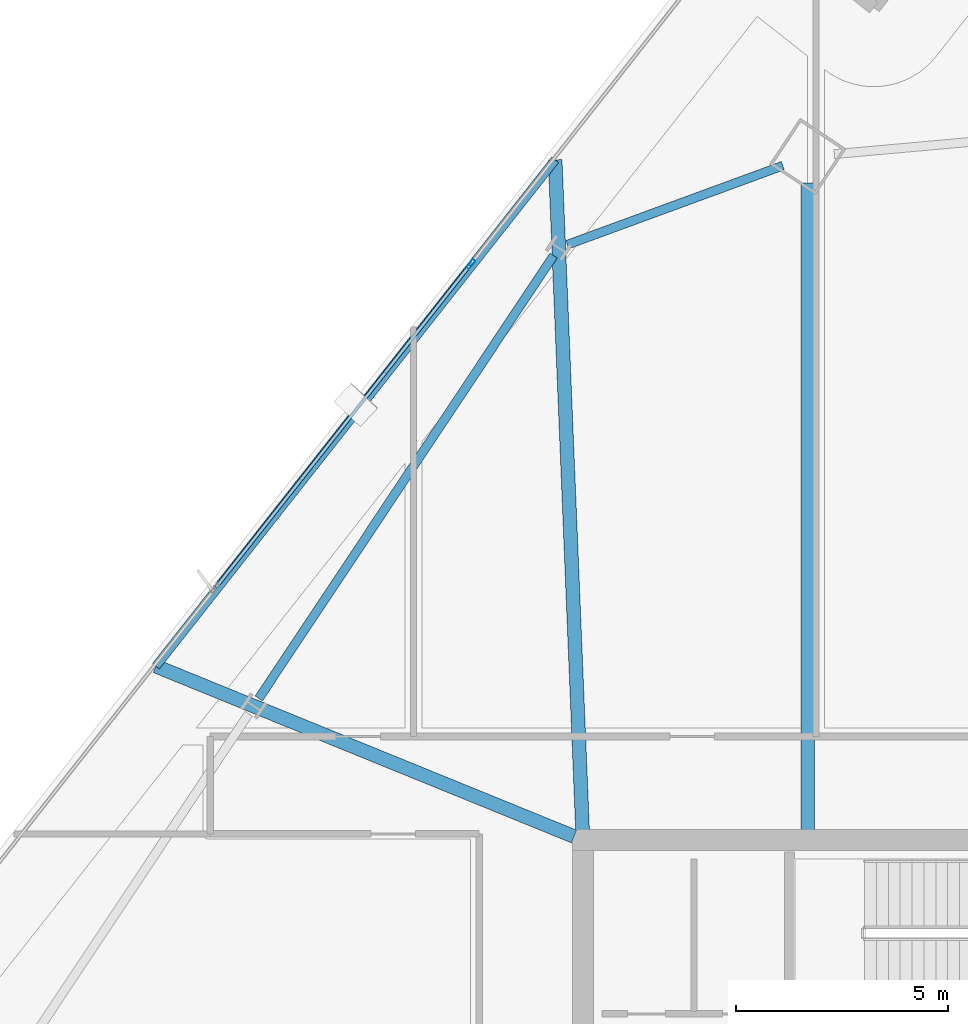
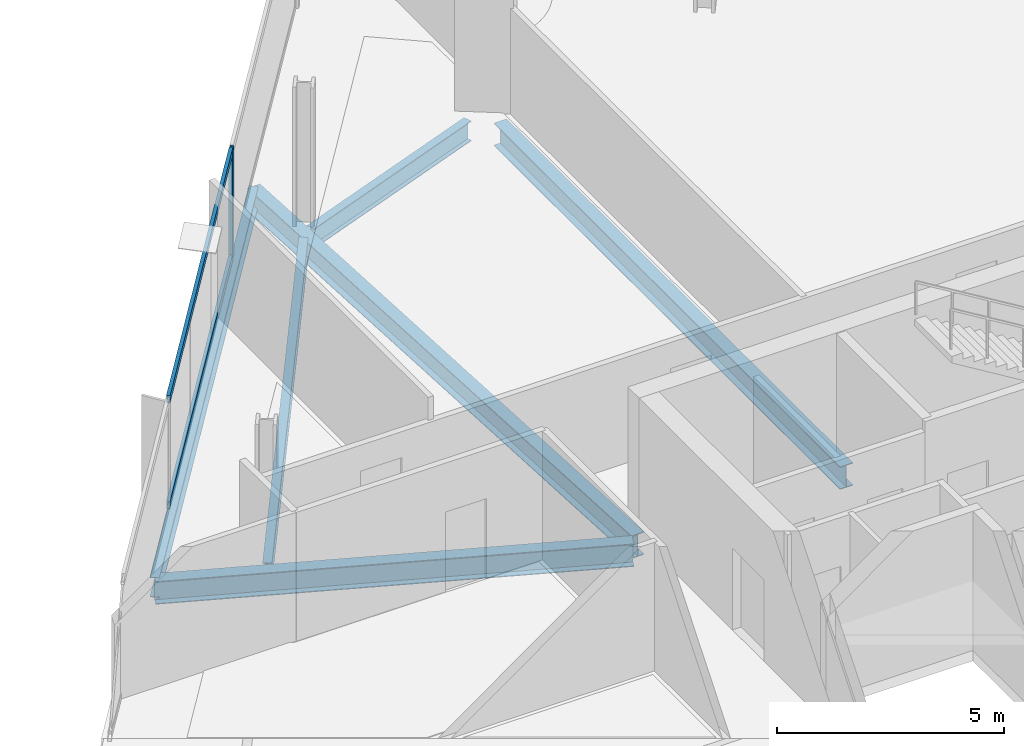
# One storey, part 14 of 28: 6 beams, 3 members, 1 element without a shape of its own.
"""IFC4 building model written with IfcOpenShell, lengths in metres."""

from ifc_helpers import new_model, si_unit, direction, frame, origin, origin_2d, place, context, subcontext, project, spatial, hollow_rectangle, i_section, extrude, material, material_profile, profile_set, type_object, element, aggregate, save


model = new_model("IFC4")

# Units and contexts
model_context = context("Model", 3, precision=1e-05, world=origin(), true_north=direction((0.0, 1.0)))
body_context = subcontext(model_context, "Body", "Model", "MODEL_VIEW")
ifc_project = project(units=[si_unit("LENGTHUNIT", "METRE"), si_unit("AREAUNIT", "SQUARE_METRE"), si_unit("VOLUMEUNIT", "CUBIC_METRE"), si_unit("PLANEANGLEUNIT", "RADIAN"), si_unit("MASSUNIT", "GRAM", prefix="KILO")], contexts=[model_context])

# Site, building, storey
site_placement = place(None, origin())
site = spatial("IfcSite", under=ifc_project, at=site_placement, CompositionType="ELEMENT")
building_placement = place(site_placement, origin())
building = spatial("IfcBuilding", under=site, at=building_placement, Name="Haldenkirk Collegiate Tower", CompositionType="ELEMENT")
storey_placement = place(building_placement, frame((0.0, 0.0, 202.199951171875)))
storey = spatial("IfcBuildingStorey", under=building, at=storey_placement, Name="L50", CompositionType="ELEMENT", Elevation=202.199951171875)

# Beams
ifc_material_1 = material(Name="Steel ASTM A992 Grade 50", Category="steel")
ifc_material_profile_1 = material_profile(ifc_material_1, i_section(OverallWidth=0.324951171875, OverallDepth=0.615966796875, WebThickness=0.013916015625, FlangeThickness=0.021484375, at=origin_2d()), Name="W24X117")
ifc_profile_set_1 = profile_set([ifc_material_profile_1], Name="Steel ASTM A992 Grade 50")
beam_type_1 = type_object("IfcBeamType", Name="BM-GIRDER-W24X117", PredefinedType="BEAM", material=ifc_profile_set_1)
beam_1_placement = place(storey_placement, frame((32.30810546875, 49.5107421875, -0.587890625), z_axis=(0.0, -1.0, 0.0), x_axis=(1.0, 0.0, 0.0)))
element("IfcBeam", 1, at=beam_1_placement, inside=storey, type_object=beam_type_1, Name="L50 primary floor girder 03", PredefinedType="BEAM", context=body_context, shape_type="SweptSolid", body=[
    extrude(i_section(OverallWidth=0.324951171875, OverallDepth=0.615966796875, WebThickness=0.013916015625, FlangeThickness=0.021484375, at=origin_2d()), origin(), (0.0, 0.0, 1.0), 15.28076171875),
])
beam_2_placement = place(storey_placement, frame((26.3427734375, 50.060791015625, -0.587890625), z_axis=(0.040879377087, -0.999164088891, 0.0), x_axis=(0.999164088891, 0.040879377087, 0.0)))
element("IfcBeam", 2, at=beam_2_placement, inside=storey, type_object=beam_type_1, Name="L50 primary floor girder 11", PredefinedType="BEAM", context=body_context, shape_type="SweptSolid", body=[
    extrude(i_section(OverallWidth=0.324951171875, OverallDepth=0.615966796875, WebThickness=0.013916015625, FlangeThickness=0.021484375, at=origin_2d()), origin(), (0.0, 0.0, 1.0), 15.84423828125),
])
beam_3_placement = place(storey_placement, frame((16.91796875, 38.105712890625, -0.587890625), z_axis=(0.926148683213, -0.377158609318, 0.0), x_axis=(0.377158609318, 0.926148683213, 0.0)))
element("IfcBeam", 3, at=beam_3_placement, inside=storey, type_object=beam_type_1, Name="L50 primary floor girder 12", PredefinedType="BEAM", context=body_context, shape_type="SweptSolid", body=[
    extrude(i_section(OverallWidth=0.324951171875, OverallDepth=0.615966796875, WebThickness=0.013916015625, FlangeThickness=0.021484375, at=origin_2d()), origin(), (0.0, 0.0, 1.0), 10.656005859375),
])
ifc_material_profile_2 = material_profile(ifc_material_1, i_section(OverallWidth=0.2099609375, OverallDepth=0.537109375, WebThickness=0.010986328125, FlangeThickness=0.017333984375, at=origin_2d()), Name="W21X68")
ifc_profile_set_2 = profile_set([ifc_material_profile_2], Name="Steel ASTM A992 Grade 50")
beam_type_2 = type_object("IfcBeamType", Name="BM-SPANDREL-W21X68", PredefinedType="SPANDREL", material=ifc_profile_set_2)
beam_4_placement = place(storey_placement, frame((31.716796875, 49.923828125, -0.54833984375), z_axis=(-0.938842319963, -0.344347351153, 0.0), x_axis=(0.344347351153, -0.938842319963, 0.0)))
element("IfcBeam", 4, at=beam_4_placement, inside=storey, type_object=beam_type_2, Name="L50 perimeter spandrel beam 09", PredefinedType="SPANDREL", context=body_context, shape_type="SweptSolid", body=[
    extrude(i_section(OverallWidth=0.2099609375, OverallDepth=0.537109375, WebThickness=0.010986328125, FlangeThickness=0.017333984375, at=origin_2d()), origin(), (0.0, 0.0, 1.0), 5.416748046875),
])
beam_5_placement = place(storey_placement, frame((26.3076171875, 47.80322265625, -0.54833984375), z_axis=(-0.554125989098, -0.832432813028, 0.0), x_axis=(0.832432813028, -0.554125989098, 0.0)))
element("IfcBeam", 5, at=beam_5_placement, inside=storey, type_object=beam_type_2, Name="L50 perimeter spandrel beam 10", PredefinedType="SPANDREL", context=body_context, shape_type="SweptSolid", body=[
    extrude(i_section(OverallWidth=0.2099609375, OverallDepth=0.537109375, WebThickness=0.010986328125, FlangeThickness=0.017333984375, at=origin_2d()), origin(), (0.0, 0.0, 1.0), 12.56201171875),
])
beam_6_placement = place(storey_placement, frame((26.3427734375, 50.060791015625, -0.54833984375), z_axis=(-0.619101282822, -0.78531114955, 0.0), x_axis=(0.78531114955, -0.619101282822, 0.0)))
element("IfcBeam", 6, at=beam_6_placement, inside=storey, type_object=beam_type_2, Name="L50 outer facade edge beam 3", PredefinedType="SPANDREL", context=body_context, shape_type="SweptSolid", body=[
    extrude(i_section(OverallWidth=0.2099609375, OverallDepth=0.537109375, WebThickness=0.010986328125, FlangeThickness=0.017333984375, at=origin_2d()), origin(), (0.0, 0.0, 1.0), 15.223388671875),
])

# Curtain wall, members
ifc_material_2 = material(Name="Anodised architectural bronze aluminium", Category="aluminium")
curtain_wall_type = type_object("IfcCurtainWallType", Name="CW-SYS1B-CONVEX-HI", PredefinedType="USERDEFINED", material=ifc_material_2)
curtain_wall_placement = place(storey_placement, origin())
curtain_wall = element("IfcCurtainWall", 7, at=curtain_wall_placement, inside=storey, type_object=curtain_wall_type, Name="L50 Upper tower high-wind convex bronze unitised curtain wall", ObjectType="UNITISED CURTAIN WALL", PredefinedType="USERDEFINED")
ifc_material_profile_3 = material_profile(ifc_material_2, hollow_rectangle(XDim=0.0849609375, YDim=0.25, WallThickness=0.0048828125, at=origin_2d()), Name="CW-MUL-1B")
ifc_profile_set_3 = profile_set([ifc_material_profile_3], Name="Anodised architectural bronze aluminium")
member_type_1 = type_object("IfcMemberType", Name="CW-MUL-1B", PredefinedType="MULLION", material=ifc_profile_set_3)
member_1_placement = place(storey_placement, frame((24.350830078125, 47.598876953125, 0.0), z_axis=(0.0, 0.0, 1.0), x_axis=(-0.785317136364, 0.619093688656, 0.0)))
member_1 = element("IfcMember", 8, at=member_1_placement, type_object=member_type_1, Name="CW-1B mullion 4", PredefinedType="MULLION", context=body_context, shape_type="SweptSolid", body=[
    extrude(hollow_rectangle(XDim=0.0849609375, YDim=0.25, WallThickness=0.0048828125, at=origin_2d()), origin(), (0.0, 0.0, 1.0), 2.927978515625),
])
ifc_material_profile_4 = material_profile(ifc_material_2, hollow_rectangle(XDim=0.0849609375, YDim=0.199951171875, WallThickness=0.0048828125, at=origin_2d()), Name="CW-TRN-1B")
ifc_profile_set_4 = profile_set([ifc_material_profile_4], Name="Anodised architectural bronze aluminium")
member_type_2 = type_object("IfcMemberType", Name="CW-TRN-1B", PredefinedType="USERDEFINED", material=ifc_profile_set_4)
member_2_placement = place(storey_placement, frame((18.341064453125, 39.975341796875, 0.04248046875), z_axis=(0.619084735773, 0.78532419416, 0.0), x_axis=(-0.78532419416, 0.619084735773, 0.0)))
member_2 = element("IfcMember", 9, at=member_2_placement, type_object=member_type_2, Name="CW-1B transom 3.1", ObjectType="TRANSOM", PredefinedType="USERDEFINED", context=body_context, shape_type="SweptSolid", body=[
    extrude(hollow_rectangle(XDim=0.0849609375, YDim=0.199951171875, WallThickness=0.0048828125, at=origin_2d()), origin(), (0.0, 0.0, 1.0), 9.664794921875),
])
member_3_placement = place(storey_placement, frame((18.341064453125, 39.975341796875, 2.885498046875), z_axis=(0.619084735773, 0.78532419416, 0.0), x_axis=(-0.78532419416, 0.619084735773, 0.0)))
member_3 = element("IfcMember", 10, at=member_3_placement, type_object=member_type_2, Name="CW-1B transom 3.2", ObjectType="TRANSOM", PredefinedType="USERDEFINED", context=body_context, shape_type="SweptSolid", body=[
    extrude(hollow_rectangle(XDim=0.0849609375, YDim=0.199951171875, WallThickness=0.0048828125, at=origin_2d()), origin(), (0.0, 0.0, 1.0), 9.664794921875),
])
aggregate(curtain_wall, [member_1, member_2, member_3])

save(model, "model.ifc")
